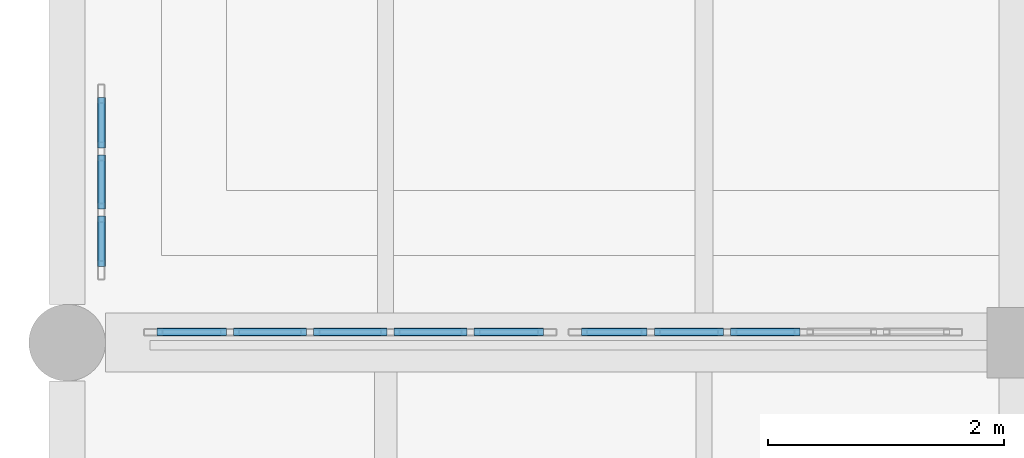
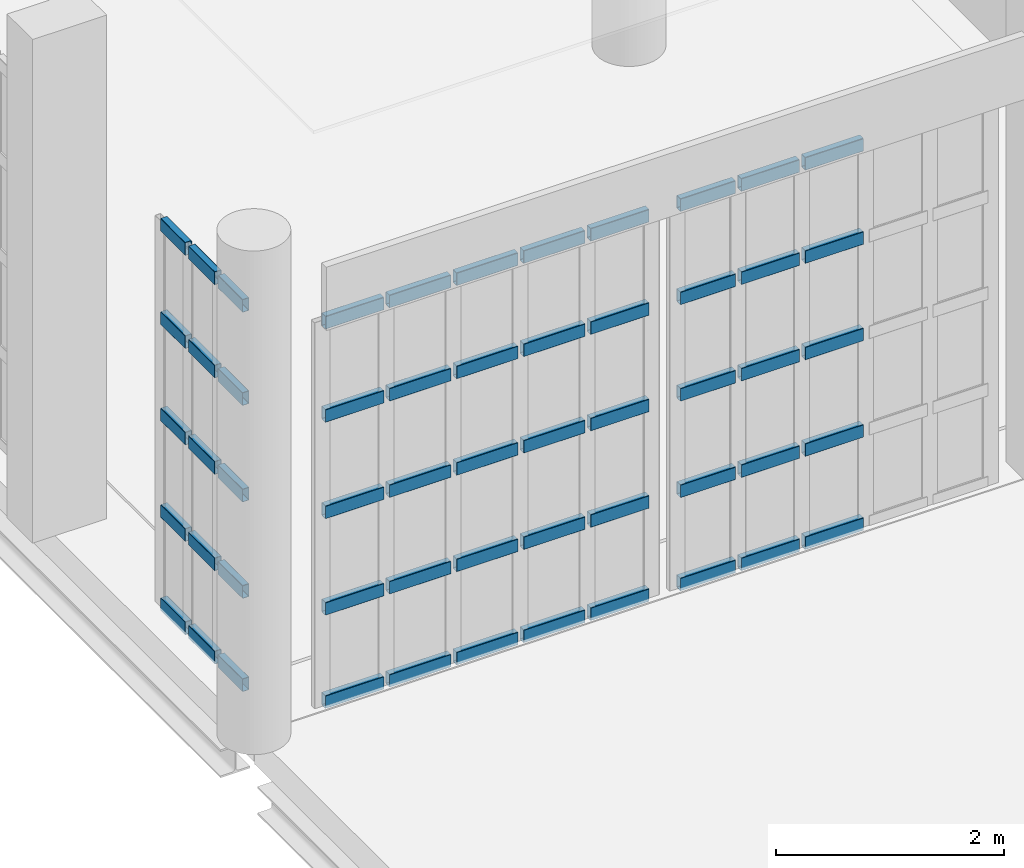
# One storey, part 292 of 372: 55 members, 3 elements without a shape of their own.
"""IFC4 building model written with IfcOpenShell, lengths in metres."""

from ifc_helpers import new_model, si_unit, direction, frame, origin, origin_2d, place, context, subcontext, project, spatial, hollow_rectangle, extrude, material, material_profile, profile_set, type_object, element, aggregate, save


model = new_model("IFC4")

# Units and contexts
model_context = context("Model", 3, precision=1e-05, world=origin(), true_north=direction((0.0, 1.0)))
body_context = subcontext(model_context, "Body", "Model", "MODEL_VIEW")
ifc_project = project(units=[si_unit("LENGTHUNIT", "METRE"), si_unit("AREAUNIT", "SQUARE_METRE"), si_unit("VOLUMEUNIT", "CUBIC_METRE"), si_unit("PLANEANGLEUNIT", "RADIAN"), si_unit("MASSUNIT", "GRAM", prefix="KILO")], contexts=[model_context])

# Site, building, storey
site_placement = place(None, origin())
site = spatial("IfcSite", under=ifc_project, at=site_placement, CompositionType="ELEMENT")
building_placement = place(site_placement, origin())
building = spatial("IfcBuilding", under=site, at=building_placement, Name="Kaelora Sail Theatre", CompositionType="ELEMENT")
storey_placement = place(building_placement, origin())
storey = spatial("IfcBuildingStorey", under=building, at=storey_placement, Name="L00", CompositionType="ELEMENT", Elevation=0.0)

# Curtain wall, members
ifc_material_1 = material(Name="Anodised aluminium and solar-control low-E IGU", Category="aluminium")
curtain_wall_type_1 = type_object("IfcCurtainWallType", Name="ARC-CW-CW-NWG", PredefinedType="NOTDEFINED", material=ifc_material_1)
curtain_wall_1_placement = place(storey_placement, origin())
curtain_wall_1 = element("IfcCurtainWall", 1, at=curtain_wall_1_placement, inside=storey, type_object=curtain_wall_type_1, Name="Glazed Foyer/Conservatory Curtain Wall COLW-S-L00-01", PredefinedType="NOTDEFINED")
ifc_material_2 = material(Name="Anodised aluminium 6063-T6", Category="aluminium")
ifc_material_profile = material_profile(ifc_material_2, hollow_rectangle(XDim=0.070068359375, YDim=0.139892578125, WallThickness=0.00390625, InnerFilletRadius=0.00390625, OuterFilletRadius=0.008056640625, at=origin_2d()), Name="ALU-TRAN 70x140x4")
ifc_profile_set = profile_set([ifc_material_profile], Name="Anodised aluminium 6063-T6")
member_type = type_object("IfcMemberType", Name="ARC-MEM-TR-140", PredefinedType="USERDEFINED", material=ifc_profile_set)
member_1_placement = place(storey_placement, frame((2.260009765625, 31.35009765625, 0.034912109375), z_axis=(1.0, 0.0, 0.0), x_axis=(0.0, 1.0, 0.0)))
member_1 = element("IfcMember", 2, at=member_1_placement, type_object=member_type, Name="CW-NWG transom 1.1", ObjectType="TRANSOM", PredefinedType="USERDEFINED", context=body_context, shape_type="SweptSolid", body=[
    extrude(hollow_rectangle(XDim=0.070068359375, YDim=0.139892578125, WallThickness=0.00390625, InnerFilletRadius=0.00390625, OuterFilletRadius=0.008056640625, at=origin_2d()), origin(), (0.0, 0.0, 1.0), 0.590087890625),
])
member_2_placement = place(storey_placement, frame((2.260009765625, 31.35009765625, 1.0341796875), z_axis=(1.0, 0.0, 0.0), x_axis=(0.0, 1.0, 0.0)))
member_2 = element("IfcMember", 3, at=member_2_placement, type_object=member_type, Name="CW-NWG transom 1.2", ObjectType="TRANSOM", PredefinedType="USERDEFINED", context=body_context, shape_type="SweptSolid", body=[
    extrude(hollow_rectangle(XDim=0.070068359375, YDim=0.139892578125, WallThickness=0.00390625, InnerFilletRadius=0.00390625, OuterFilletRadius=0.008056640625, at=origin_2d()), origin(), (0.0, 0.0, 1.0), 0.590087890625),
])
member_3_placement = place(storey_placement, frame((2.260009765625, 31.35009765625, 2.068603515625), z_axis=(1.0, 0.0, 0.0), x_axis=(0.0, 1.0, 0.0)))
member_3 = element("IfcMember", 4, at=member_3_placement, type_object=member_type, Name="CW-NWG transom 1.3", ObjectType="TRANSOM", PredefinedType="USERDEFINED", context=body_context, shape_type="SweptSolid", body=[
    extrude(hollow_rectangle(XDim=0.070068359375, YDim=0.139892578125, WallThickness=0.00390625, InnerFilletRadius=0.00390625, OuterFilletRadius=0.008056640625, at=origin_2d()), origin(), (0.0, 0.0, 1.0), 0.590087890625),
])
member_4_placement = place(storey_placement, frame((2.260009765625, 31.35009765625, 3.102783203125), z_axis=(1.0, 0.0, 0.0), x_axis=(0.0, 1.0, 0.0)))
member_4 = element("IfcMember", 5, at=member_4_placement, type_object=member_type, Name="CW-NWG transom 1.4", ObjectType="TRANSOM", PredefinedType="USERDEFINED", context=body_context, shape_type="SweptSolid", body=[
    extrude(hollow_rectangle(XDim=0.070068359375, YDim=0.139892578125, WallThickness=0.00390625, InnerFilletRadius=0.00390625, OuterFilletRadius=0.008056640625, at=origin_2d()), origin(), (0.0, 0.0, 1.0), 0.590087890625),
])
member_5_placement = place(storey_placement, frame((2.260009765625, 31.35009765625, 4.10205078125), z_axis=(1.0, 0.0, 0.0), x_axis=(0.0, 1.0, 0.0)))
member_5 = element("IfcMember", 6, at=member_5_placement, type_object=member_type, Name="CW-NWG transom 1.5", ObjectType="TRANSOM", PredefinedType="USERDEFINED", context=body_context, shape_type="SweptSolid", body=[
    extrude(hollow_rectangle(XDim=0.070068359375, YDim=0.139892578125, WallThickness=0.00390625, InnerFilletRadius=0.00390625, OuterFilletRadius=0.008056640625, at=origin_2d()), origin(), (0.0, 0.0, 1.0), 0.590087890625),
])
member_6_placement = place(storey_placement, frame((2.909912109375, 31.35009765625, 0.034912109375), z_axis=(1.0, 0.0, 0.0), x_axis=(0.0, 1.0, 0.0)))
member_6 = element("IfcMember", 7, at=member_6_placement, type_object=member_type, Name="CW-NWG transom 2.1", ObjectType="TRANSOM", PredefinedType="USERDEFINED", context=body_context, shape_type="SweptSolid", body=[
    extrude(hollow_rectangle(XDim=0.070068359375, YDim=0.139892578125, WallThickness=0.00390625, InnerFilletRadius=0.00390625, OuterFilletRadius=0.008056640625, at=origin_2d()), origin(), (0.0, 0.0, 1.0), 0.6201171875),
])
member_7_placement = place(storey_placement, frame((2.909912109375, 31.35009765625, 1.0341796875), z_axis=(1.0, 0.0, 0.0), x_axis=(0.0, 1.0, 0.0)))
member_7 = element("IfcMember", 8, at=member_7_placement, type_object=member_type, Name="CW-NWG transom 2.2", ObjectType="TRANSOM", PredefinedType="USERDEFINED", context=body_context, shape_type="SweptSolid", body=[
    extrude(hollow_rectangle(XDim=0.070068359375, YDim=0.139892578125, WallThickness=0.00390625, InnerFilletRadius=0.00390625, OuterFilletRadius=0.008056640625, at=origin_2d()), origin(), (0.0, 0.0, 1.0), 0.6201171875),
])
member_8_placement = place(storey_placement, frame((2.909912109375, 31.35009765625, 2.068603515625), z_axis=(1.0, 0.0, 0.0), x_axis=(0.0, 1.0, 0.0)))
member_8 = element("IfcMember", 9, at=member_8_placement, type_object=member_type, Name="CW-NWG transom 2.3", ObjectType="TRANSOM", PredefinedType="USERDEFINED", context=body_context, shape_type="SweptSolid", body=[
    extrude(hollow_rectangle(XDim=0.070068359375, YDim=0.139892578125, WallThickness=0.00390625, InnerFilletRadius=0.00390625, OuterFilletRadius=0.008056640625, at=origin_2d()), origin(), (0.0, 0.0, 1.0), 0.6201171875),
])
member_9_placement = place(storey_placement, frame((2.909912109375, 31.35009765625, 3.102783203125), z_axis=(1.0, 0.0, 0.0), x_axis=(0.0, 1.0, 0.0)))
member_9 = element("IfcMember", 10, at=member_9_placement, type_object=member_type, Name="CW-NWG transom 2.4", ObjectType="TRANSOM", PredefinedType="USERDEFINED", context=body_context, shape_type="SweptSolid", body=[
    extrude(hollow_rectangle(XDim=0.070068359375, YDim=0.139892578125, WallThickness=0.00390625, InnerFilletRadius=0.00390625, OuterFilletRadius=0.008056640625, at=origin_2d()), origin(), (0.0, 0.0, 1.0), 0.6201171875),
])
member_10_placement = place(storey_placement, frame((2.909912109375, 31.35009765625, 4.10205078125), z_axis=(1.0, 0.0, 0.0), x_axis=(0.0, 1.0, 0.0)))
member_10 = element("IfcMember", 11, at=member_10_placement, type_object=member_type, Name="CW-NWG transom 2.5", ObjectType="TRANSOM", PredefinedType="USERDEFINED", context=body_context, shape_type="SweptSolid", body=[
    extrude(hollow_rectangle(XDim=0.070068359375, YDim=0.139892578125, WallThickness=0.00390625, InnerFilletRadius=0.00390625, OuterFilletRadius=0.008056640625, at=origin_2d()), origin(), (0.0, 0.0, 1.0), 0.6201171875),
])
member_11_placement = place(storey_placement, frame((3.590087890625, 31.35009765625, 0.034912109375), z_axis=(1.0, 0.0, 0.0), x_axis=(0.0, 1.0, 0.0)))
member_11 = element("IfcMember", 12, at=member_11_placement, type_object=member_type, Name="CW-NWG transom 3.1", ObjectType="TRANSOM", PredefinedType="USERDEFINED", context=body_context, shape_type="SweptSolid", body=[
    extrude(hollow_rectangle(XDim=0.070068359375, YDim=0.139892578125, WallThickness=0.00390625, InnerFilletRadius=0.00390625, OuterFilletRadius=0.008056640625, at=origin_2d()), origin(), (0.0, 0.0, 1.0), 0.619873046875),
])
member_12_placement = place(storey_placement, frame((3.590087890625, 31.35009765625, 1.0341796875), z_axis=(1.0, 0.0, 0.0), x_axis=(0.0, 1.0, 0.0)))
member_12 = element("IfcMember", 13, at=member_12_placement, type_object=member_type, Name="CW-NWG transom 3.2", ObjectType="TRANSOM", PredefinedType="USERDEFINED", context=body_context, shape_type="SweptSolid", body=[
    extrude(hollow_rectangle(XDim=0.070068359375, YDim=0.139892578125, WallThickness=0.00390625, InnerFilletRadius=0.00390625, OuterFilletRadius=0.008056640625, at=origin_2d()), origin(), (0.0, 0.0, 1.0), 0.619873046875),
])
member_13_placement = place(storey_placement, frame((3.590087890625, 31.35009765625, 2.068603515625), z_axis=(1.0, 0.0, 0.0), x_axis=(0.0, 1.0, 0.0)))
member_13 = element("IfcMember", 14, at=member_13_placement, type_object=member_type, Name="CW-NWG transom 3.3", ObjectType="TRANSOM", PredefinedType="USERDEFINED", context=body_context, shape_type="SweptSolid", body=[
    extrude(hollow_rectangle(XDim=0.070068359375, YDim=0.139892578125, WallThickness=0.00390625, InnerFilletRadius=0.00390625, OuterFilletRadius=0.008056640625, at=origin_2d()), origin(), (0.0, 0.0, 1.0), 0.619873046875),
])
member_14_placement = place(storey_placement, frame((3.590087890625, 31.35009765625, 3.102783203125), z_axis=(1.0, 0.0, 0.0), x_axis=(0.0, 1.0, 0.0)))
member_14 = element("IfcMember", 15, at=member_14_placement, type_object=member_type, Name="CW-NWG transom 3.4", ObjectType="TRANSOM", PredefinedType="USERDEFINED", context=body_context, shape_type="SweptSolid", body=[
    extrude(hollow_rectangle(XDim=0.070068359375, YDim=0.139892578125, WallThickness=0.00390625, InnerFilletRadius=0.00390625, OuterFilletRadius=0.008056640625, at=origin_2d()), origin(), (0.0, 0.0, 1.0), 0.619873046875),
])
member_15_placement = place(storey_placement, frame((3.590087890625, 31.35009765625, 4.10205078125), z_axis=(1.0, 0.0, 0.0), x_axis=(0.0, 1.0, 0.0)))
member_15 = element("IfcMember", 16, at=member_15_placement, type_object=member_type, Name="CW-NWG transom 3.5", ObjectType="TRANSOM", PredefinedType="USERDEFINED", context=body_context, shape_type="SweptSolid", body=[
    extrude(hollow_rectangle(XDim=0.070068359375, YDim=0.139892578125, WallThickness=0.00390625, InnerFilletRadius=0.00390625, OuterFilletRadius=0.008056640625, at=origin_2d()), origin(), (0.0, 0.0, 1.0), 0.619873046875),
])
member_16_placement = place(storey_placement, frame((4.27001953125, 31.35009765625, 0.034912109375), z_axis=(1.0, 0.0, 0.0), x_axis=(0.0, 1.0, 0.0)))
member_16 = element("IfcMember", 17, at=member_16_placement, type_object=member_type, Name="CW-NWG transom 4.1", ObjectType="TRANSOM", PredefinedType="USERDEFINED", context=body_context, shape_type="SweptSolid", body=[
    extrude(hollow_rectangle(XDim=0.070068359375, YDim=0.139892578125, WallThickness=0.00390625, InnerFilletRadius=0.00390625, OuterFilletRadius=0.008056640625, at=origin_2d()), origin(), (0.0, 0.0, 1.0), 0.619873046875),
])
member_17_placement = place(storey_placement, frame((4.27001953125, 31.35009765625, 1.0341796875), z_axis=(1.0, 0.0, 0.0), x_axis=(0.0, 1.0, 0.0)))
member_17 = element("IfcMember", 18, at=member_17_placement, type_object=member_type, Name="CW-NWG transom 4.2", ObjectType="TRANSOM", PredefinedType="USERDEFINED", context=body_context, shape_type="SweptSolid", body=[
    extrude(hollow_rectangle(XDim=0.070068359375, YDim=0.139892578125, WallThickness=0.00390625, InnerFilletRadius=0.00390625, OuterFilletRadius=0.008056640625, at=origin_2d()), origin(), (0.0, 0.0, 1.0), 0.619873046875),
])
member_18_placement = place(storey_placement, frame((4.27001953125, 31.35009765625, 2.068603515625), z_axis=(1.0, 0.0, 0.0), x_axis=(0.0, 1.0, 0.0)))
member_18 = element("IfcMember", 19, at=member_18_placement, type_object=member_type, Name="CW-NWG transom 4.3", ObjectType="TRANSOM", PredefinedType="USERDEFINED", context=body_context, shape_type="SweptSolid", body=[
    extrude(hollow_rectangle(XDim=0.070068359375, YDim=0.139892578125, WallThickness=0.00390625, InnerFilletRadius=0.00390625, OuterFilletRadius=0.008056640625, at=origin_2d()), origin(), (0.0, 0.0, 1.0), 0.619873046875),
])
member_19_placement = place(storey_placement, frame((4.27001953125, 31.35009765625, 3.102783203125), z_axis=(1.0, 0.0, 0.0), x_axis=(0.0, 1.0, 0.0)))
member_19 = element("IfcMember", 20, at=member_19_placement, type_object=member_type, Name="CW-NWG transom 4.4", ObjectType="TRANSOM", PredefinedType="USERDEFINED", context=body_context, shape_type="SweptSolid", body=[
    extrude(hollow_rectangle(XDim=0.070068359375, YDim=0.139892578125, WallThickness=0.00390625, InnerFilletRadius=0.00390625, OuterFilletRadius=0.008056640625, at=origin_2d()), origin(), (0.0, 0.0, 1.0), 0.619873046875),
])
member_20_placement = place(storey_placement, frame((4.27001953125, 31.35009765625, 4.10205078125), z_axis=(1.0, 0.0, 0.0), x_axis=(0.0, 1.0, 0.0)))
member_20 = element("IfcMember", 21, at=member_20_placement, type_object=member_type, Name="CW-NWG transom 4.5", ObjectType="TRANSOM", PredefinedType="USERDEFINED", context=body_context, shape_type="SweptSolid", body=[
    extrude(hollow_rectangle(XDim=0.070068359375, YDim=0.139892578125, WallThickness=0.00390625, InnerFilletRadius=0.00390625, OuterFilletRadius=0.008056640625, at=origin_2d()), origin(), (0.0, 0.0, 1.0), 0.619873046875),
])
member_21_placement = place(storey_placement, frame((4.949951171875, 31.35009765625, 0.034912109375), z_axis=(1.0, 0.0, 0.0), x_axis=(0.0, 1.0, 0.0)))
member_21 = element("IfcMember", 22, at=member_21_placement, type_object=member_type, Name="CW-NWG transom 5.1", ObjectType="TRANSOM", PredefinedType="USERDEFINED", context=body_context, shape_type="SweptSolid", body=[
    extrude(hollow_rectangle(XDim=0.070068359375, YDim=0.139892578125, WallThickness=0.00390625, InnerFilletRadius=0.00390625, OuterFilletRadius=0.008056640625, at=origin_2d()), origin(), (0.0, 0.0, 1.0), 0.590087890625),
])
member_22_placement = place(storey_placement, frame((4.949951171875, 31.35009765625, 1.0341796875), z_axis=(1.0, 0.0, 0.0), x_axis=(0.0, 1.0, 0.0)))
member_22 = element("IfcMember", 23, at=member_22_placement, type_object=member_type, Name="CW-NWG transom 5.2", ObjectType="TRANSOM", PredefinedType="USERDEFINED", context=body_context, shape_type="SweptSolid", body=[
    extrude(hollow_rectangle(XDim=0.070068359375, YDim=0.139892578125, WallThickness=0.00390625, InnerFilletRadius=0.00390625, OuterFilletRadius=0.008056640625, at=origin_2d()), origin(), (0.0, 0.0, 1.0), 0.590087890625),
])
member_23_placement = place(storey_placement, frame((4.949951171875, 31.35009765625, 2.068603515625), z_axis=(1.0, 0.0, 0.0), x_axis=(0.0, 1.0, 0.0)))
member_23 = element("IfcMember", 24, at=member_23_placement, type_object=member_type, Name="CW-NWG transom 5.3", ObjectType="TRANSOM", PredefinedType="USERDEFINED", context=body_context, shape_type="SweptSolid", body=[
    extrude(hollow_rectangle(XDim=0.070068359375, YDim=0.139892578125, WallThickness=0.00390625, InnerFilletRadius=0.00390625, OuterFilletRadius=0.008056640625, at=origin_2d()), origin(), (0.0, 0.0, 1.0), 0.590087890625),
])
member_24_placement = place(storey_placement, frame((4.949951171875, 31.35009765625, 3.102783203125), z_axis=(1.0, 0.0, 0.0), x_axis=(0.0, 1.0, 0.0)))
member_24 = element("IfcMember", 25, at=member_24_placement, type_object=member_type, Name="CW-NWG transom 5.4", ObjectType="TRANSOM", PredefinedType="USERDEFINED", context=body_context, shape_type="SweptSolid", body=[
    extrude(hollow_rectangle(XDim=0.070068359375, YDim=0.139892578125, WallThickness=0.00390625, InnerFilletRadius=0.00390625, OuterFilletRadius=0.008056640625, at=origin_2d()), origin(), (0.0, 0.0, 1.0), 0.590087890625),
])
member_25_placement = place(storey_placement, frame((4.949951171875, 31.35009765625, 4.10205078125), z_axis=(1.0, 0.0, 0.0), x_axis=(0.0, 1.0, 0.0)))
member_25 = element("IfcMember", 26, at=member_25_placement, type_object=member_type, Name="CW-NWG transom 5.5", ObjectType="TRANSOM", PredefinedType="USERDEFINED", context=body_context, shape_type="SweptSolid", body=[
    extrude(hollow_rectangle(XDim=0.070068359375, YDim=0.139892578125, WallThickness=0.00390625, InnerFilletRadius=0.00390625, OuterFilletRadius=0.008056640625, at=origin_2d()), origin(), (0.0, 0.0, 1.0), 0.590087890625),
])
aggregate(curtain_wall_1, [member_1, member_2, member_3, member_4, member_5, member_6, member_7, member_8, member_9, member_10, member_11, member_12, member_13, member_14, member_15, member_16, member_17, member_18, member_19, member_20, member_21, member_22, member_23, member_24, member_25])

curtain_wall_2_placement = place(storey_placement, origin())
curtain_wall_2 = element("IfcCurtainWall", 27, at=curtain_wall_2_placement, inside=storey, type_object=curtain_wall_type_1, Name="Glazed Foyer/Conservatory Curtain Wall COLW-S-L00-02", PredefinedType="NOTDEFINED")
member_26_placement = place(storey_placement, frame((5.860107421875, 31.35009765625, 0.034912109375), z_axis=(1.0, 0.0, 0.0), x_axis=(0.0, 1.0, 0.0)))
member_26 = element("IfcMember", 28, at=member_26_placement, type_object=member_type, Name="CW-NWG transom 1.1", ObjectType="TRANSOM", PredefinedType="USERDEFINED", context=body_context, shape_type="SweptSolid", body=[
    extrude(hollow_rectangle(XDim=0.070068359375, YDim=0.139892578125, WallThickness=0.00390625, InnerFilletRadius=0.00390625, OuterFilletRadius=0.008056640625, at=origin_2d()), origin(), (0.0, 0.0, 1.0), 0.557861328125),
])
member_27_placement = place(storey_placement, frame((5.860107421875, 31.35009765625, 1.0341796875), z_axis=(1.0, 0.0, 0.0), x_axis=(0.0, 1.0, 0.0)))
member_27 = element("IfcMember", 29, at=member_27_placement, type_object=member_type, Name="CW-NWG transom 1.2", ObjectType="TRANSOM", PredefinedType="USERDEFINED", context=body_context, shape_type="SweptSolid", body=[
    extrude(hollow_rectangle(XDim=0.070068359375, YDim=0.139892578125, WallThickness=0.00390625, InnerFilletRadius=0.00390625, OuterFilletRadius=0.008056640625, at=origin_2d()), origin(), (0.0, 0.0, 1.0), 0.557861328125),
])
member_28_placement = place(storey_placement, frame((5.860107421875, 31.35009765625, 2.068603515625), z_axis=(1.0, 0.0, 0.0), x_axis=(0.0, 1.0, 0.0)))
member_28 = element("IfcMember", 30, at=member_28_placement, type_object=member_type, Name="CW-NWG transom 1.3", ObjectType="TRANSOM", PredefinedType="USERDEFINED", context=body_context, shape_type="SweptSolid", body=[
    extrude(hollow_rectangle(XDim=0.070068359375, YDim=0.139892578125, WallThickness=0.00390625, InnerFilletRadius=0.00390625, OuterFilletRadius=0.008056640625, at=origin_2d()), origin(), (0.0, 0.0, 1.0), 0.557861328125),
])
member_29_placement = place(storey_placement, frame((5.860107421875, 31.35009765625, 3.102783203125), z_axis=(1.0, 0.0, 0.0), x_axis=(0.0, 1.0, 0.0)))
member_29 = element("IfcMember", 31, at=member_29_placement, type_object=member_type, Name="CW-NWG transom 1.4", ObjectType="TRANSOM", PredefinedType="USERDEFINED", context=body_context, shape_type="SweptSolid", body=[
    extrude(hollow_rectangle(XDim=0.070068359375, YDim=0.139892578125, WallThickness=0.00390625, InnerFilletRadius=0.00390625, OuterFilletRadius=0.008056640625, at=origin_2d()), origin(), (0.0, 0.0, 1.0), 0.557861328125),
])
member_30_placement = place(storey_placement, frame((5.860107421875, 31.35009765625, 4.10205078125), z_axis=(1.0, 0.0, 0.0), x_axis=(0.0, 1.0, 0.0)))
member_30 = element("IfcMember", 32, at=member_30_placement, type_object=member_type, Name="CW-NWG transom 1.5", ObjectType="TRANSOM", PredefinedType="USERDEFINED", context=body_context, shape_type="SweptSolid", body=[
    extrude(hollow_rectangle(XDim=0.070068359375, YDim=0.139892578125, WallThickness=0.00390625, InnerFilletRadius=0.00390625, OuterFilletRadius=0.008056640625, at=origin_2d()), origin(), (0.0, 0.0, 1.0), 0.557861328125),
])
member_31_placement = place(storey_placement, frame((6.47802734375, 31.35009765625, 0.034912109375), z_axis=(1.0, 0.0, 0.0), x_axis=(0.0, 1.0, 0.0)))
member_31 = element("IfcMember", 33, at=member_31_placement, type_object=member_type, Name="CW-NWG transom 2.1", ObjectType="TRANSOM", PredefinedType="USERDEFINED", context=body_context, shape_type="SweptSolid", body=[
    extrude(hollow_rectangle(XDim=0.070068359375, YDim=0.139892578125, WallThickness=0.00390625, InnerFilletRadius=0.00390625, OuterFilletRadius=0.008056640625, at=origin_2d()), origin(), (0.0, 0.0, 1.0), 0.587890625),
])
member_32_placement = place(storey_placement, frame((6.47802734375, 31.35009765625, 1.0341796875), z_axis=(1.0, 0.0, 0.0), x_axis=(0.0, 1.0, 0.0)))
member_32 = element("IfcMember", 34, at=member_32_placement, type_object=member_type, Name="CW-NWG transom 2.2", ObjectType="TRANSOM", PredefinedType="USERDEFINED", context=body_context, shape_type="SweptSolid", body=[
    extrude(hollow_rectangle(XDim=0.070068359375, YDim=0.139892578125, WallThickness=0.00390625, InnerFilletRadius=0.00390625, OuterFilletRadius=0.008056640625, at=origin_2d()), origin(), (0.0, 0.0, 1.0), 0.587890625),
])
member_33_placement = place(storey_placement, frame((6.47802734375, 31.35009765625, 2.068603515625), z_axis=(1.0, 0.0, 0.0), x_axis=(0.0, 1.0, 0.0)))
member_33 = element("IfcMember", 35, at=member_33_placement, type_object=member_type, Name="CW-NWG transom 2.3", ObjectType="TRANSOM", PredefinedType="USERDEFINED", context=body_context, shape_type="SweptSolid", body=[
    extrude(hollow_rectangle(XDim=0.070068359375, YDim=0.139892578125, WallThickness=0.00390625, InnerFilletRadius=0.00390625, OuterFilletRadius=0.008056640625, at=origin_2d()), origin(), (0.0, 0.0, 1.0), 0.587890625),
])
member_34_placement = place(storey_placement, frame((6.47802734375, 31.35009765625, 3.102783203125), z_axis=(1.0, 0.0, 0.0), x_axis=(0.0, 1.0, 0.0)))
member_34 = element("IfcMember", 36, at=member_34_placement, type_object=member_type, Name="CW-NWG transom 2.4", ObjectType="TRANSOM", PredefinedType="USERDEFINED", context=body_context, shape_type="SweptSolid", body=[
    extrude(hollow_rectangle(XDim=0.070068359375, YDim=0.139892578125, WallThickness=0.00390625, InnerFilletRadius=0.00390625, OuterFilletRadius=0.008056640625, at=origin_2d()), origin(), (0.0, 0.0, 1.0), 0.587890625),
])
member_35_placement = place(storey_placement, frame((6.47802734375, 31.35009765625, 4.10205078125), z_axis=(1.0, 0.0, 0.0), x_axis=(0.0, 1.0, 0.0)))
member_35 = element("IfcMember", 37, at=member_35_placement, type_object=member_type, Name="CW-NWG transom 2.5", ObjectType="TRANSOM", PredefinedType="USERDEFINED", context=body_context, shape_type="SweptSolid", body=[
    extrude(hollow_rectangle(XDim=0.070068359375, YDim=0.139892578125, WallThickness=0.00390625, InnerFilletRadius=0.00390625, OuterFilletRadius=0.008056640625, at=origin_2d()), origin(), (0.0, 0.0, 1.0), 0.587890625),
])
member_36_placement = place(storey_placement, frame((7.1259765625, 31.35009765625, 0.034912109375), z_axis=(1.0, 0.0, 0.0), x_axis=(0.0, 1.0, 0.0)))
member_36 = element("IfcMember", 38, at=member_36_placement, type_object=member_type, Name="CW-NWG transom 3.1", ObjectType="TRANSOM", PredefinedType="USERDEFINED", context=body_context, shape_type="SweptSolid", body=[
    extrude(hollow_rectangle(XDim=0.070068359375, YDim=0.139892578125, WallThickness=0.00390625, InnerFilletRadius=0.00390625, OuterFilletRadius=0.008056640625, at=origin_2d()), origin(), (0.0, 0.0, 1.0), 0.588134765625),
])
member_37_placement = place(storey_placement, frame((7.1259765625, 31.35009765625, 1.0341796875), z_axis=(1.0, 0.0, 0.0), x_axis=(0.0, 1.0, 0.0)))
member_37 = element("IfcMember", 39, at=member_37_placement, type_object=member_type, Name="CW-NWG transom 3.2", ObjectType="TRANSOM", PredefinedType="USERDEFINED", context=body_context, shape_type="SweptSolid", body=[
    extrude(hollow_rectangle(XDim=0.070068359375, YDim=0.139892578125, WallThickness=0.00390625, InnerFilletRadius=0.00390625, OuterFilletRadius=0.008056640625, at=origin_2d()), origin(), (0.0, 0.0, 1.0), 0.588134765625),
])
member_38_placement = place(storey_placement, frame((7.1259765625, 31.35009765625, 2.068603515625), z_axis=(1.0, 0.0, 0.0), x_axis=(0.0, 1.0, 0.0)))
member_38 = element("IfcMember", 40, at=member_38_placement, type_object=member_type, Name="CW-NWG transom 3.3", ObjectType="TRANSOM", PredefinedType="USERDEFINED", context=body_context, shape_type="SweptSolid", body=[
    extrude(hollow_rectangle(XDim=0.070068359375, YDim=0.139892578125, WallThickness=0.00390625, InnerFilletRadius=0.00390625, OuterFilletRadius=0.008056640625, at=origin_2d()), origin(), (0.0, 0.0, 1.0), 0.588134765625),
])
member_39_placement = place(storey_placement, frame((7.1259765625, 31.35009765625, 3.102783203125), z_axis=(1.0, 0.0, 0.0), x_axis=(0.0, 1.0, 0.0)))
member_39 = element("IfcMember", 41, at=member_39_placement, type_object=member_type, Name="CW-NWG transom 3.4", ObjectType="TRANSOM", PredefinedType="USERDEFINED", context=body_context, shape_type="SweptSolid", body=[
    extrude(hollow_rectangle(XDim=0.070068359375, YDim=0.139892578125, WallThickness=0.00390625, InnerFilletRadius=0.00390625, OuterFilletRadius=0.008056640625, at=origin_2d()), origin(), (0.0, 0.0, 1.0), 0.588134765625),
])
member_40_placement = place(storey_placement, frame((7.1259765625, 31.35009765625, 4.10205078125), z_axis=(1.0, 0.0, 0.0), x_axis=(0.0, 1.0, 0.0)))
member_40 = element("IfcMember", 42, at=member_40_placement, type_object=member_type, Name="CW-NWG transom 3.5", ObjectType="TRANSOM", PredefinedType="USERDEFINED", context=body_context, shape_type="SweptSolid", body=[
    extrude(hollow_rectangle(XDim=0.070068359375, YDim=0.139892578125, WallThickness=0.00390625, InnerFilletRadius=0.00390625, OuterFilletRadius=0.008056640625, at=origin_2d()), origin(), (0.0, 0.0, 1.0), 0.588134765625),
])
aggregate(curtain_wall_2, [member_26, member_27, member_28, member_29, member_30, member_31, member_32, member_33, member_34, member_35, member_36, member_37, member_38, member_39, member_40])

ifc_material_3 = material(Name="Anodised aluminium and solar-control low-E IGU", Category="aluminium")
curtain_wall_type_2 = type_object("IfcCurtainWallType", Name="ARC-CW-CW-FOY1", PredefinedType="NOTDEFINED", material=ifc_material_3)
curtain_wall_3_placement = place(storey_placement, origin())
curtain_wall_3 = element("IfcCurtainWall", 43, at=curtain_wall_3_placement, inside=storey, type_object=curtain_wall_type_2, Name="Glazed Colonnade/Courtyard Curtain Wall COLW-W-L00-01", PredefinedType="NOTDEFINED")
member_41_placement = place(storey_placement, frame((1.7900390625, 31.905029296875, 0.034912109375), z_axis=(0.0, 1.0, 0.0), x_axis=(-1.0, 0.0, 0.0)))
member_41 = element("IfcMember", 44, at=member_41_placement, type_object=member_type, Name="CW-FOY1 transom 1.1", ObjectType="TRANSOM", PredefinedType="USERDEFINED", context=body_context, shape_type="SweptSolid", body=[
    extrude(hollow_rectangle(XDim=0.070068359375, YDim=0.139892578125, WallThickness=0.00390625, InnerFilletRadius=0.00390625, OuterFilletRadius=0.008056640625, at=origin_2d()), origin(), (0.0, 0.0, 1.0), 0.42822265625),
])
member_42_placement = place(storey_placement, frame((1.7900390625, 31.905029296875, 1.0341796875), z_axis=(0.0, 1.0, 0.0), x_axis=(-1.0, 0.0, 0.0)))
member_42 = element("IfcMember", 45, at=member_42_placement, type_object=member_type, Name="CW-FOY1 transom 1.2", ObjectType="TRANSOM", PredefinedType="USERDEFINED", context=body_context, shape_type="SweptSolid", body=[
    extrude(hollow_rectangle(XDim=0.070068359375, YDim=0.139892578125, WallThickness=0.00390625, InnerFilletRadius=0.00390625, OuterFilletRadius=0.008056640625, at=origin_2d()), origin(), (0.0, 0.0, 1.0), 0.42822265625),
])
member_43_placement = place(storey_placement, frame((1.7900390625, 31.905029296875, 2.068603515625), z_axis=(0.0, 1.0, 0.0), x_axis=(-1.0, 0.0, 0.0)))
member_43 = element("IfcMember", 46, at=member_43_placement, type_object=member_type, Name="CW-FOY1 transom 1.3", ObjectType="TRANSOM", PredefinedType="USERDEFINED", context=body_context, shape_type="SweptSolid", body=[
    extrude(hollow_rectangle(XDim=0.070068359375, YDim=0.139892578125, WallThickness=0.00390625, InnerFilletRadius=0.00390625, OuterFilletRadius=0.008056640625, at=origin_2d()), origin(), (0.0, 0.0, 1.0), 0.42822265625),
])
member_44_placement = place(storey_placement, frame((1.7900390625, 31.905029296875, 3.102783203125), z_axis=(0.0, 1.0, 0.0), x_axis=(-1.0, 0.0, 0.0)))
member_44 = element("IfcMember", 47, at=member_44_placement, type_object=member_type, Name="CW-FOY1 transom 1.4", ObjectType="TRANSOM", PredefinedType="USERDEFINED", context=body_context, shape_type="SweptSolid", body=[
    extrude(hollow_rectangle(XDim=0.070068359375, YDim=0.139892578125, WallThickness=0.00390625, InnerFilletRadius=0.00390625, OuterFilletRadius=0.008056640625, at=origin_2d()), origin(), (0.0, 0.0, 1.0), 0.42822265625),
])
member_45_placement = place(storey_placement, frame((1.7900390625, 31.905029296875, 4.10205078125), z_axis=(0.0, 1.0, 0.0), x_axis=(-1.0, 0.0, 0.0)))
member_45 = element("IfcMember", 48, at=member_45_placement, type_object=member_type, Name="CW-FOY1 transom 1.5", ObjectType="TRANSOM", PredefinedType="USERDEFINED", context=body_context, shape_type="SweptSolid", body=[
    extrude(hollow_rectangle(XDim=0.070068359375, YDim=0.139892578125, WallThickness=0.00390625, InnerFilletRadius=0.00390625, OuterFilletRadius=0.008056640625, at=origin_2d()), origin(), (0.0, 0.0, 1.0), 0.42822265625),
])
member_46_placement = place(storey_placement, frame((1.7900390625, 32.393310546875, 0.034912109375), z_axis=(0.0, 1.0, 0.0), x_axis=(-1.0, 0.0, 0.0)))
member_46 = element("IfcMember", 49, at=member_46_placement, type_object=member_type, Name="CW-FOY1 transom 2.1", ObjectType="TRANSOM", PredefinedType="USERDEFINED", context=body_context, shape_type="SweptSolid", body=[
    extrude(hollow_rectangle(XDim=0.070068359375, YDim=0.139892578125, WallThickness=0.00390625, InnerFilletRadius=0.00390625, OuterFilletRadius=0.008056640625, at=origin_2d()), origin(), (0.0, 0.0, 1.0), 0.458251953125),
])
member_47_placement = place(storey_placement, frame((1.7900390625, 32.393310546875, 1.0341796875), z_axis=(0.0, 1.0, 0.0), x_axis=(-1.0, 0.0, 0.0)))
member_47 = element("IfcMember", 50, at=member_47_placement, type_object=member_type, Name="CW-FOY1 transom 2.2", ObjectType="TRANSOM", PredefinedType="USERDEFINED", context=body_context, shape_type="SweptSolid", body=[
    extrude(hollow_rectangle(XDim=0.070068359375, YDim=0.139892578125, WallThickness=0.00390625, InnerFilletRadius=0.00390625, OuterFilletRadius=0.008056640625, at=origin_2d()), origin(), (0.0, 0.0, 1.0), 0.458251953125),
])
member_48_placement = place(storey_placement, frame((1.7900390625, 32.393310546875, 2.068603515625), z_axis=(0.0, 1.0, 0.0), x_axis=(-1.0, 0.0, 0.0)))
member_48 = element("IfcMember", 51, at=member_48_placement, type_object=member_type, Name="CW-FOY1 transom 2.3", ObjectType="TRANSOM", PredefinedType="USERDEFINED", context=body_context, shape_type="SweptSolid", body=[
    extrude(hollow_rectangle(XDim=0.070068359375, YDim=0.139892578125, WallThickness=0.00390625, InnerFilletRadius=0.00390625, OuterFilletRadius=0.008056640625, at=origin_2d()), origin(), (0.0, 0.0, 1.0), 0.458251953125),
])
member_49_placement = place(storey_placement, frame((1.7900390625, 32.393310546875, 3.102783203125), z_axis=(0.0, 1.0, 0.0), x_axis=(-1.0, 0.0, 0.0)))
member_49 = element("IfcMember", 52, at=member_49_placement, type_object=member_type, Name="CW-FOY1 transom 2.4", ObjectType="TRANSOM", PredefinedType="USERDEFINED", context=body_context, shape_type="SweptSolid", body=[
    extrude(hollow_rectangle(XDim=0.070068359375, YDim=0.139892578125, WallThickness=0.00390625, InnerFilletRadius=0.00390625, OuterFilletRadius=0.008056640625, at=origin_2d()), origin(), (0.0, 0.0, 1.0), 0.458251953125),
])
member_50_placement = place(storey_placement, frame((1.7900390625, 32.393310546875, 4.10205078125), z_axis=(0.0, 1.0, 0.0), x_axis=(-1.0, 0.0, 0.0)))
member_50 = element("IfcMember", 53, at=member_50_placement, type_object=member_type, Name="CW-FOY1 transom 2.5", ObjectType="TRANSOM", PredefinedType="USERDEFINED", context=body_context, shape_type="SweptSolid", body=[
    extrude(hollow_rectangle(XDim=0.070068359375, YDim=0.139892578125, WallThickness=0.00390625, InnerFilletRadius=0.00390625, OuterFilletRadius=0.008056640625, at=origin_2d()), origin(), (0.0, 0.0, 1.0), 0.458251953125),
])
member_51_placement = place(storey_placement, frame((1.7900390625, 32.91162109375, 0.034912109375), z_axis=(0.0, 1.0, 0.0), x_axis=(-1.0, 0.0, 0.0)))
member_51 = element("IfcMember", 54, at=member_51_placement, type_object=member_type, Name="CW-FOY1 transom 3.1", ObjectType="TRANSOM", PredefinedType="USERDEFINED", context=body_context, shape_type="SweptSolid", body=[
    extrude(hollow_rectangle(XDim=0.070068359375, YDim=0.139892578125, WallThickness=0.00390625, InnerFilletRadius=0.00390625, OuterFilletRadius=0.008056640625, at=origin_2d()), origin(), (0.0, 0.0, 1.0), 0.428466796875),
])
member_52_placement = place(storey_placement, frame((1.7900390625, 32.91162109375, 1.0341796875), z_axis=(0.0, 1.0, 0.0), x_axis=(-1.0, 0.0, 0.0)))
member_52 = element("IfcMember", 55, at=member_52_placement, type_object=member_type, Name="CW-FOY1 transom 3.2", ObjectType="TRANSOM", PredefinedType="USERDEFINED", context=body_context, shape_type="SweptSolid", body=[
    extrude(hollow_rectangle(XDim=0.070068359375, YDim=0.139892578125, WallThickness=0.00390625, InnerFilletRadius=0.00390625, OuterFilletRadius=0.008056640625, at=origin_2d()), origin(), (0.0, 0.0, 1.0), 0.428466796875),
])
member_53_placement = place(storey_placement, frame((1.7900390625, 32.91162109375, 2.068603515625), z_axis=(0.0, 1.0, 0.0), x_axis=(-1.0, 0.0, 0.0)))
member_53 = element("IfcMember", 56, at=member_53_placement, type_object=member_type, Name="CW-FOY1 transom 3.3", ObjectType="TRANSOM", PredefinedType="USERDEFINED", context=body_context, shape_type="SweptSolid", body=[
    extrude(hollow_rectangle(XDim=0.070068359375, YDim=0.139892578125, WallThickness=0.00390625, InnerFilletRadius=0.00390625, OuterFilletRadius=0.008056640625, at=origin_2d()), origin(), (0.0, 0.0, 1.0), 0.428466796875),
])
member_54_placement = place(storey_placement, frame((1.7900390625, 32.91162109375, 3.102783203125), z_axis=(0.0, 1.0, 0.0), x_axis=(-1.0, 0.0, 0.0)))
member_54 = element("IfcMember", 57, at=member_54_placement, type_object=member_type, Name="CW-FOY1 transom 3.4", ObjectType="TRANSOM", PredefinedType="USERDEFINED", context=body_context, shape_type="SweptSolid", body=[
    extrude(hollow_rectangle(XDim=0.070068359375, YDim=0.139892578125, WallThickness=0.00390625, InnerFilletRadius=0.00390625, OuterFilletRadius=0.008056640625, at=origin_2d()), origin(), (0.0, 0.0, 1.0), 0.428466796875),
])
member_55_placement = place(storey_placement, frame((1.7900390625, 32.91162109375, 4.10205078125), z_axis=(0.0, 1.0, 0.0), x_axis=(-1.0, 0.0, 0.0)))
member_55 = element("IfcMember", 58, at=member_55_placement, type_object=member_type, Name="CW-FOY1 transom 3.5", ObjectType="TRANSOM", PredefinedType="USERDEFINED", context=body_context, shape_type="SweptSolid", body=[
    extrude(hollow_rectangle(XDim=0.070068359375, YDim=0.139892578125, WallThickness=0.00390625, InnerFilletRadius=0.00390625, OuterFilletRadius=0.008056640625, at=origin_2d()), origin(), (0.0, 0.0, 1.0), 0.428466796875),
])
aggregate(curtain_wall_3, [member_41, member_42, member_43, member_44, member_45, member_46, member_47, member_48, member_49, member_50, member_51, member_52, member_53, member_54, member_55])

save(model, "model.ifc")
